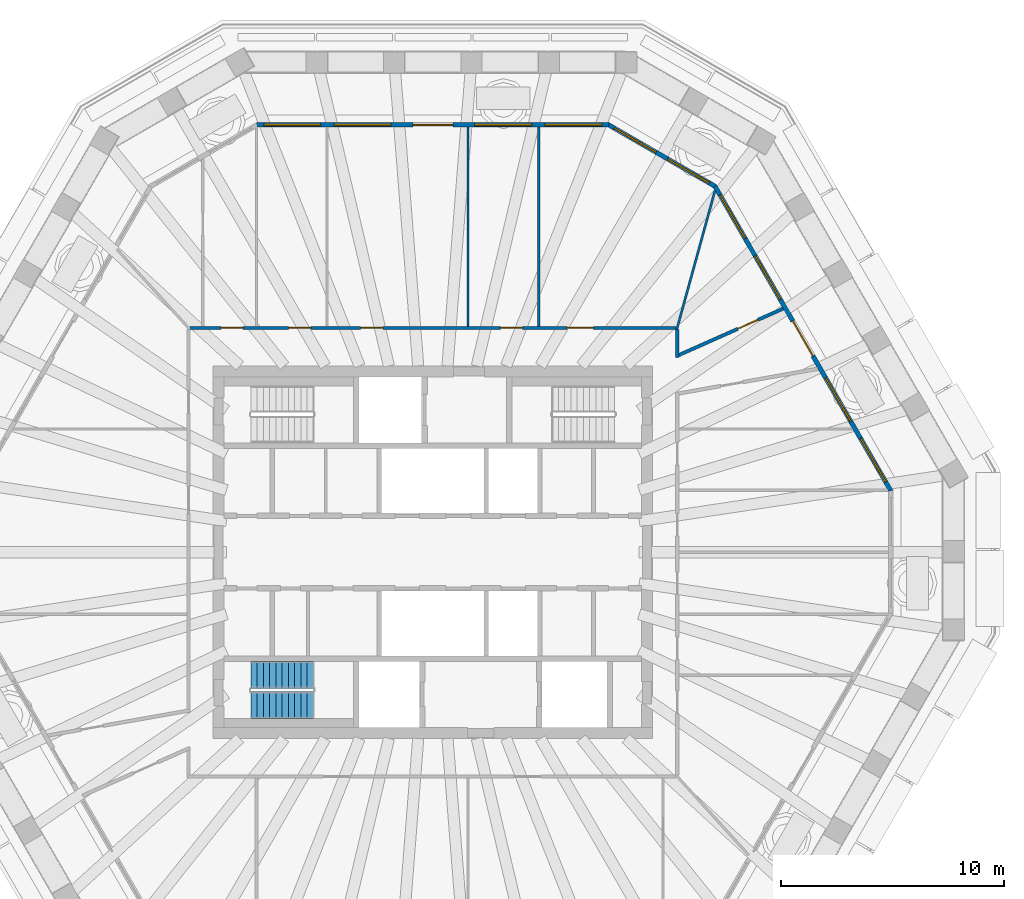
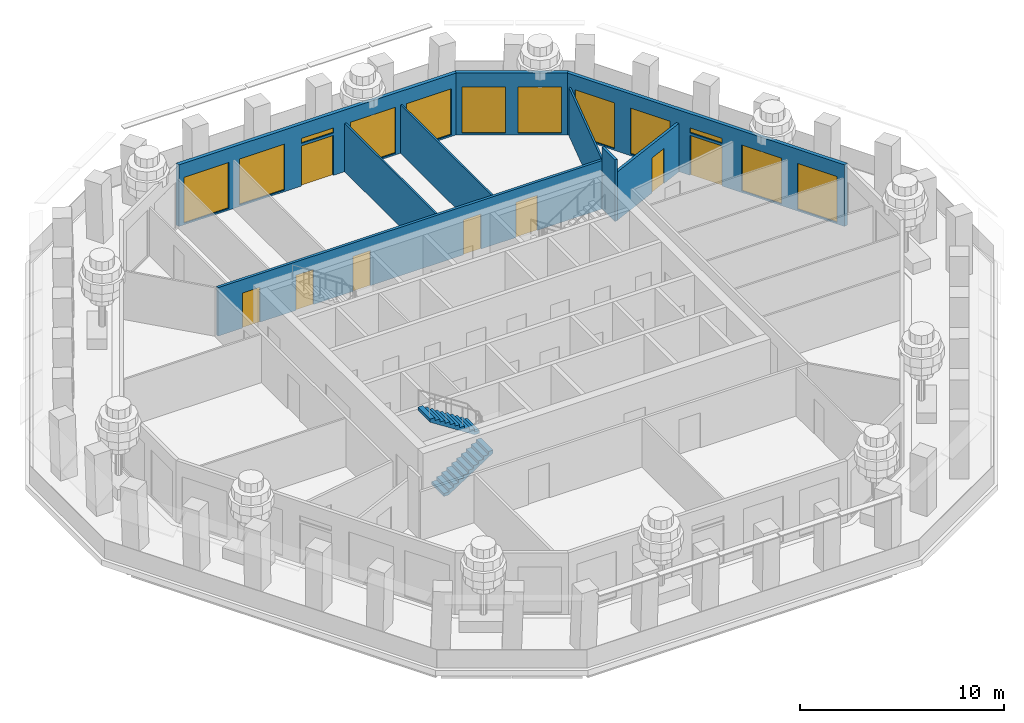
# One storey, part 7 of 13: 12 windows, 9 walls, 8 doors, 2 stair flights, 20 openings, 1 element without a shape of its own.
"""IFC4 building model written with IfcOpenShell, lengths in metres."""

from ifc_helpers import new_model, si_unit, direction, frame, frame_2d, origin, place, context, subcontext, project, spatial, polyline, rectangle, outline, extrude, material, layer, layer_set, type_object, element, fill, aggregate, save


model = new_model("IFC4")

# Units and contexts
model_context = context("Model", 3, precision=1e-05, world=origin(), true_north=direction((0.0, 1.0)))
body_context = subcontext(model_context, "Body", "Model", "MODEL_VIEW")
ifc_project = project(units=[si_unit("LENGTHUNIT", "METRE"), si_unit("AREAUNIT", "SQUARE_METRE"), si_unit("VOLUMEUNIT", "CUBIC_METRE"), si_unit("PLANEANGLEUNIT", "RADIAN"), si_unit("MASSUNIT", "GRAM", prefix="KILO")], contexts=[model_context])

# Site, building, storey
site_placement = place(None, origin())
site = spatial("IfcSite", under=ifc_project, at=site_placement, CompositionType="ELEMENT")
building_placement = place(site_placement, origin())
building = spatial("IfcBuilding", under=site, at=building_placement, Name="Frailejon Research Tower", CompositionType="ELEMENT")
storey_placement = place(building_placement, frame((0.0, 0.0, 263.0)))
storey = spatial("IfcBuildingStorey", under=building, at=storey_placement, Name="L57", CompositionType="ELEMENT", Elevation=263.0)

# Wall, opening, door
ifc_material_1 = material(Name="Gypsum board and masonry partition", Category="masonry")
ifc_layer_1 = layer(ifc_material_1, 0.14990234375)
ifc_layer_set_1 = layer_set([ifc_layer_1], Name="Corridor wall EI 60, gypsum on steel studs 150")
wall_type_1 = type_object("IfcWallType", Name="Corridor wall EI 60, gypsum on steel studs 150", PredefinedType="PARTITIONING", material=ifc_layer_set_1)
wall_1_placement = place(storey_placement, frame((11.0185546875, 8.83056640625, 0.0), z_axis=(0.0, 0.0, 1.0), x_axis=(0.913606957834, 0.406598483269, 0.0)))
wall_1 = element("IfcWall", 1, at=wall_1_placement, inside=storey, type_object=wall_type_1, Name="T:IW:L57:002", PredefinedType="PARTITIONING", context=body_context, shape_type="SweptSolid", body=[
    extrude(rectangle(XDim=5.12060546875, YDim=0.14990234375, at=frame_2d((2.560302734375, 0.0))), origin(), (0.0, 0.0, 1.0), 2.89990234375),
])
opening_1_placement = place(wall_1_placement, frame((2.896728515625, 0.0, 0.0)))
opening_1 = element("IfcOpeningElement", 2, at=opening_1_placement, cuts=wall_1, Name="Opening D2094", PredefinedType="OPENING", context=body_context, shape_type="SweptSolid", body=[
    extrude(rectangle(XDim=1.0, YDim=2.10009765625, at=frame_2d((0.5, 1.050048828125))), frame((0.0, 0.0849609375, 0.0), z_axis=(0.0, -1.0, 0.0), x_axis=(1.0, 0.0, 0.0)), (0.0, 0.0, 1.0), 0.169921875),
])
ifc_material_2 = material(Name="Timber door leaf", Category="wood")
door_type_1 = type_object("IfcDoorType", Name="Door single leaf, timber, steel frame 1000", OperationType="NOTDEFINED", PredefinedType="DOOR", material=ifc_material_2)
door_1_placement = place(opening_1_placement, origin())
door_1 = element("IfcDoor", 3, at=door_1_placement, inside=storey, type_object=door_type_1, Name="D2094", OperationType="SINGLE_SWING_LEFT", OverallHeight=2.10009765625, OverallWidth=1.0, PredefinedType="DOOR", context=body_context, shape_type="SweptSolid", body=[
    extrude(rectangle(XDim=1.0, YDim=2.10009765625, at=frame_2d((0.5, 1.050048828125))), frame((0.0, 0.02490234375, 0.0), z_axis=(0.0, -1.0, 0.0), x_axis=(1.0, 0.0, 0.0)), (0.0, 0.0, 1.0), 0.050048828125),
])
fill(opening_1, door_1)

# Wall
wall_2_placement = place(storey_placement, frame((10.949951171875, 8.72509765625, 0.0), z_axis=(0.0, 0.0, 1.0), x_axis=(0.0, 1.0, 0.0)))
element("IfcWall", 4, at=wall_2_placement, inside=storey, type_object=wall_type_1, Name="T:IW:L57:004", PredefinedType="PARTITIONING", context=body_context, shape_type="SweptSolid", body=[
    extrude(rectangle(XDim=1.25, YDim=0.14990234375, at=frame_2d((0.625, 0.0))), origin(), (0.0, 0.0, 1.0), 3.699951171875),
])

# Wall, openings, doors
wall_3_placement = place(storey_placement, frame((-10.875, 10.050048828125, 0.0), z_axis=(0.0, 0.0, 1.0), x_axis=(1.0, 0.0, 0.0)))
wall_3 = element("IfcWall", 5, at=wall_3_placement, inside=storey, type_object=wall_type_1, Name="T:IW:L57:005", PredefinedType="PARTITIONING", context=body_context, shape_type="SweptSolid", body=[
    extrude(rectangle(XDim=21.77490234375, YDim=0.14990234375, at=frame_2d((10.887451171875, 0.0))), origin(), (0.0, 0.0, 1.0), 2.89990234375),
])
opening_2_placement = place(wall_3_placement, frame((16.885498046875, 0.0, 0.0)))
opening_2 = element("IfcOpeningElement", 6, at=opening_2_placement, cuts=wall_3, Name="Opening D2095", PredefinedType="OPENING", context=body_context, shape_type="SweptSolid", body=[
    extrude(rectangle(XDim=1.199951171875, YDim=2.10009765625, at=frame_2d((0.60009765625, 1.050048828125))), frame((0.0, 0.0849609375, 0.0), z_axis=(0.0, -1.0, 0.0), x_axis=(1.0, 0.0, 0.0)), (0.0, 0.0, 1.0), 0.169921875),
])
opening_3_placement = place(wall_3_placement, frame((13.90283203125, 0.0, 0.0)))
opening_3 = element("IfcOpeningElement", 7, at=opening_3_placement, cuts=wall_3, Name="Opening D2096", PredefinedType="OPENING", context=body_context, shape_type="SweptSolid", body=[
    extrude(rectangle(XDim=1.0, YDim=2.10009765625, at=frame_2d((0.5, 1.050048828125))), frame((0.0, 0.0849609375, 0.0), z_axis=(0.0, -1.0, 0.0), x_axis=(1.0, 0.0, 0.0)), (0.0, 0.0, 1.0), 0.169921875),
])
opening_4_placement = place(wall_3_placement, frame((7.6376953125, 0.0, 0.0)))
opening_4 = element("IfcOpeningElement", 8, at=opening_4_placement, cuts=wall_3, Name="Opening D2097", PredefinedType="OPENING", context=body_context, shape_type="SweptSolid", body=[
    extrude(rectangle(XDim=1.0, YDim=2.10009765625, at=frame_2d((0.5, 1.050048828125))), frame((0.0, 0.0849609375, 0.0), z_axis=(0.0, -1.0, 0.0), x_axis=(1.0, 0.0, 0.0)), (0.0, 0.0, 1.0), 0.169921875),
])
opening_5_placement = place(wall_3_placement, frame((4.416015625, 0.0, 0.0)))
opening_5 = element("IfcOpeningElement", 9, at=opening_5_placement, cuts=wall_3, Name="Opening D2098", PredefinedType="OPENING", context=body_context, shape_type="SweptSolid", body=[
    extrude(rectangle(XDim=1.0, YDim=2.10009765625, at=frame_2d((0.5, 1.050048828125))), frame((0.0, 0.0849609375, 0.0), z_axis=(0.0, -1.0, 0.0), x_axis=(1.0, 0.0, 0.0)), (0.0, 0.0, 1.0), 0.169921875),
])
opening_6_placement = place(wall_3_placement, frame((1.372314453125, 0.0, 0.0)))
opening_6 = element("IfcOpeningElement", 10, at=opening_6_placement, cuts=wall_3, Name="Opening D2099", PredefinedType="OPENING", context=body_context, shape_type="SweptSolid", body=[
    extrude(rectangle(XDim=1.0, YDim=2.10009765625, at=frame_2d((0.5, 1.050048828125))), frame((0.0, 0.0849609375, 0.0), z_axis=(0.0, -1.0, 0.0), x_axis=(1.0, 0.0, 0.0)), (0.0, 0.0, 1.0), 0.169921875),
])
door_2_placement = place(opening_3_placement, origin())
door_2 = element("IfcDoor", 11, at=door_2_placement, inside=storey, type_object=door_type_1, Name="D2096", OperationType="SINGLE_SWING_LEFT", OverallHeight=2.10009765625, OverallWidth=1.0, PredefinedType="DOOR", context=body_context, shape_type="SweptSolid", body=[
    extrude(rectangle(XDim=1.0, YDim=2.10009765625, at=frame_2d((0.5, 1.050048828125))), frame((0.0, 0.02490234375, 0.0), z_axis=(0.0, -1.0, 0.0), x_axis=(1.0, 0.0, 0.0)), (0.0, 0.0, 1.0), 0.050048828125),
])
fill(opening_3, door_2)
door_3_placement = place(opening_4_placement, origin())
door_3 = element("IfcDoor", 12, at=door_3_placement, inside=storey, type_object=door_type_1, Name="D2097", OperationType="SINGLE_SWING_RIGHT", OverallHeight=2.10009765625, OverallWidth=1.0, PredefinedType="DOOR", context=body_context, shape_type="SweptSolid", body=[
    extrude(rectangle(XDim=1.0, YDim=2.10009765625, at=frame_2d((0.5, 1.050048828125))), frame((0.0, 0.02490234375, 0.0), z_axis=(0.0, -1.0, 0.0), x_axis=(1.0, 0.0, 0.0)), (0.0, 0.0, 1.0), 0.050048828125),
])
fill(opening_4, door_3)
door_4_placement = place(opening_5_placement, origin())
door_4 = element("IfcDoor", 13, at=door_4_placement, inside=storey, type_object=door_type_1, Name="D2098", OperationType="SINGLE_SWING_RIGHT", OverallHeight=2.10009765625, OverallWidth=1.0, PredefinedType="DOOR", context=body_context, shape_type="SweptSolid", body=[
    extrude(rectangle(XDim=1.0, YDim=2.10009765625, at=frame_2d((0.5, 1.050048828125))), frame((0.0, 0.02490234375, 0.0), z_axis=(0.0, -1.0, 0.0), x_axis=(1.0, 0.0, 0.0)), (0.0, 0.0, 1.0), 0.050048828125),
])
fill(opening_5, door_4)
door_5_placement = place(opening_6_placement, origin())
door_5 = element("IfcDoor", 14, at=door_5_placement, inside=storey, type_object=door_type_1, Name="D2099", OperationType="SINGLE_SWING_RIGHT", OverallHeight=2.10009765625, OverallWidth=1.0, PredefinedType="DOOR", context=body_context, shape_type="SweptSolid", body=[
    extrude(rectangle(XDim=1.0, YDim=2.10009765625, at=frame_2d((0.5, 1.050048828125))), frame((0.0, 0.02490234375, 0.0), z_axis=(0.0, -1.0, 0.0), x_axis=(1.0, 0.0, 0.0)), (0.0, 0.0, 1.0), 0.050048828125),
])
fill(opening_6, door_5)
ifc_material_3 = material(Name="Timber door leaf", Category="wood")
door_type_2 = type_object("IfcDoorType", Name="Door single leaf, timber, steel frame 1200", OperationType="NOTDEFINED", PredefinedType="DOOR", material=ifc_material_3)
door_6_placement = place(opening_2_placement, origin())
door_6 = element("IfcDoor", 15, at=door_6_placement, inside=storey, type_object=door_type_2, Name="D2095", OperationType="DOUBLE_DOOR_SINGLE_SWING", OverallHeight=2.10009765625, OverallWidth=1.199951171875, PredefinedType="DOOR", context=body_context, shape_type="SweptSolid", body=[
    extrude(rectangle(XDim=1.199951171875, YDim=2.10009765625, at=frame_2d((0.60009765625, 1.050048828125))), frame((0.0, 0.02490234375, 0.0), z_axis=(0.0, -1.0, 0.0), x_axis=(1.0, 0.0, 0.0)), (0.0, 0.0, 1.0), 0.050048828125),
])
fill(opening_2, door_6)

# Walls
ifc_material_4 = material(Name="Gypsum board and masonry partition", Category="masonry")
ifc_layer_2 = layer(ifc_material_4, 0.10009765625)
ifc_layer_set_2 = layer_set([ifc_layer_2], Name="Partition, gypsum on steel studs 100")
wall_type_2 = type_object("IfcWallType", Name="Partition, gypsum on steel studs 100", PredefinedType="PARTITIONING", material=ifc_layer_set_2)
wall_4_placement = place(storey_placement, frame((10.93017578125, 9.977783203125, 0.0), z_axis=(0.0, 0.0, 1.0), x_axis=(0.265456257417, 0.964122904716, 0.0)))
element("IfcWall", 16, at=wall_4_placement, inside=storey, type_object=wall_type_2, Name="T:IW:L57:016", PredefinedType="PARTITIONING", context=body_context, shape_type="SweptSolid", body=[
    extrude(rectangle(XDim=6.45458984375, YDim=0.10009765625, at=frame_2d((3.227294921875, 0.0))), origin(), (0.0, 0.0, 1.0), 2.89990234375),
])
for number, where, z_axis, x_axis, name in (
    (17, (4.743408203125, 10.125, 0.0), (0.0, 0.0, 1.0), (0.0, 1.0, 0.0), "T:IW:L57:017"),
    (18, (1.5810546875, 10.125, 0.0), (0.0, 0.0, 1.0), (0.0, 1.0, 0.0), "T:IW:L57:019"),
):
    element("IfcWall", number, at=place(storey_placement, frame(where, z_axis=z_axis, x_axis=x_axis)), inside=storey, type_object=wall_type_2, Name=name, PredefinedType="PARTITIONING", context=body_context, shape_type="SweptSolid", body=[
        extrude(rectangle(XDim=8.925048828125, YDim=0.10009765625, at=frame_2d((4.46240234375, 0.0))), origin(), (0.0, 0.0, 1.0), 2.89990234375),
    ])

# Wall, openings, door, windows
ifc_material_5 = material(Name="Concrete C40/50 precast window wall panel", Category="concrete")
ifc_layer_3 = layer(ifc_material_5, 0.199951171875)
ifc_layer_set_3 = layer_set([ifc_layer_3], Name="Window wall 200")
wall_type_3 = type_object("IfcWallType", Name="Window wall 200", PredefinedType="SOLIDWALL", material=ifc_layer_set_3)
wall_5_placement = place(storey_placement, frame((20.523681640625, 2.751708984375, 0.0), z_axis=(0.0, 0.0, 1.0), x_axis=(-0.499993368965, 0.86602923218, 0.0)))
wall_5 = element("IfcWall", 19, at=wall_5_placement, inside=storey, type_object=wall_type_3, Name="Exterior wall L57", PredefinedType="SOLIDWALL", context=body_context, shape_type="SweptSolid", body=[
    extrude(outline(polyline([(-0.02685546875, -0.10009765625), (1.02734375, -0.10009765625), (2.081298828125, -0.10009765625), (3.135498046875, -0.10009765625), (4.189453125, -0.10009765625), (5.24365234375, -0.10009765625), (6.297607421875, -0.10009765625), (7.351806640625, -0.10009765625), (8.40576171875, -0.10009765625), (9.4599609375, -0.10009765625), (10.513916015625, -0.10009765625), (11.568115234375, -0.10009765625), (12.6220703125, -0.10009765625), (13.67626953125, -0.10009765625), (14.730224609375, -0.10009765625), (15.784423828125, -0.10009765625), (15.730712890625, 0.10009765625), (14.683837890625, 0.10009765625), (13.636962890625, 0.10009765625), (12.58984375, 0.10009765625), (11.54296875, 0.10009765625), (10.49609375, 0.10009765625), (9.44921875, 0.10009765625), (8.40234375, 0.10009765625), (7.355224609375, 0.10009765625), (6.308349609375, 0.10009765625), (5.261474609375, 0.10009765625), (4.214599609375, 0.10009765625), (3.167724609375, 0.10009765625), (2.12060546875, 0.10009765625), (1.07373046875, 0.10009765625), (0.02685546875, 0.10009765625), (-0.02685546875, -0.10009765625)])), origin(), (0.0, 0.0, 1.0), 3.699951171875),
])
opening_7_placement = place(wall_5_placement, frame((0.45068359375, 0.0, 0.10009765625)))
opening_7 = element("IfcOpeningElement", 20, at=opening_7_placement, cuts=wall_5, Name="Opening W23", PredefinedType="OPENING", context=body_context, shape_type="SweptSolid", body=[
    extrude(rectangle(XDim=2.25, YDim=2.75, at=frame_2d((1.125, 1.375))), frame((0.0, 0.10986328125, 0.0), z_axis=(0.0, -1.0, 0.0), x_axis=(1.0, 0.0, 0.0)), (0.0, 0.0, 1.0), 0.219970703125),
])
opening_8_placement = place(wall_5_placement, frame((3.602294921875, 0.0, 0.10009765625)))
opening_8 = element("IfcOpeningElement", 21, at=opening_8_placement, cuts=wall_5, Name="Opening W23", PredefinedType="OPENING", context=body_context, shape_type="SweptSolid", body=[
    extrude(rectangle(XDim=2.25, YDim=2.75, at=frame_2d((1.125, 1.375))), frame((0.0, 0.10986328125, 0.0), z_axis=(0.0, -1.0, 0.0), x_axis=(1.0, 0.0, 0.0)), (0.0, 0.0, 1.0), 0.219970703125),
])
opening_9_placement = place(wall_5_placement, frame((6.97900390625, 0.0, 0.0)))
opening_9 = element("IfcOpeningElement", 22, at=opening_9_placement, cuts=wall_5, Name="Opening LG57-1", PredefinedType="OPENING", context=body_context, shape_type="SweptSolid", body=[
    extrude(rectangle(XDim=1.800048828125, YDim=2.39990234375, at=frame_2d((0.89990234375, 1.199951171875))), frame((0.0, 0.10986328125, 0.0), z_axis=(0.0, -1.0, 0.0), x_axis=(1.0, 0.0, 0.0)), (0.0, 0.0, 1.0), 0.219970703125),
])
opening_10_placement = place(wall_5_placement, frame((6.97900390625, 0.0, 2.550048828125)))
opening_10 = element("IfcOpeningElement", 23, at=opening_10_placement, cuts=wall_5, Name="Opening W24", PredefinedType="OPENING", context=body_context, shape_type="SweptSolid", body=[
    extrude(rectangle(XDim=1.800048828125, YDim=0.300048828125, at=frame_2d((0.89990234375, 0.14990234375))), frame((0.0, 0.10986328125, 0.0), z_axis=(0.0, -1.0, 0.0), x_axis=(1.0, 0.0, 0.0)), (0.0, 0.0, 1.0), 0.219970703125),
])
opening_11_placement = place(wall_5_placement, frame((9.905517578125, 0.0, 0.10009765625)))
opening_11 = element("IfcOpeningElement", 24, at=opening_11_placement, cuts=wall_5, Name="Opening W23", PredefinedType="OPENING", context=body_context, shape_type="SweptSolid", body=[
    extrude(rectangle(XDim=2.25, YDim=2.75, at=frame_2d((1.125, 1.375))), frame((0.0, 0.10986328125, 0.0), z_axis=(0.0, -1.0, 0.0), x_axis=(1.0, 0.0, 0.0)), (0.0, 0.0, 1.0), 0.219970703125),
])
opening_12_placement = place(wall_5_placement, frame((13.056884765625, 0.0, 0.10009765625)))
opening_12 = element("IfcOpeningElement", 25, at=opening_12_placement, cuts=wall_5, Name="Opening W23", PredefinedType="OPENING", context=body_context, shape_type="SweptSolid", body=[
    extrude(rectangle(XDim=2.25, YDim=2.75, at=frame_2d((1.125, 1.375))), frame((0.0, 0.10986328125, 0.0), z_axis=(0.0, -1.0, 0.0), x_axis=(1.0, 0.0, 0.0)), (0.0, 0.0, 1.0), 0.219970703125),
])
ifc_material_6 = material(Name="Aluminium framed glazed door leaf", Category="aluminium")
door_type_3 = type_object("IfcDoorType", Name="Loggia door 1800x2400", OperationType="DOUBLE_DOOR_SINGLE_SWING", PredefinedType="DOOR", material=ifc_material_6)
door_7_placement = place(opening_9_placement, origin())
door_7 = element("IfcDoor", 26, at=door_7_placement, inside=storey, type_object=door_type_3, Name="Door LG57-1", OperationType="DOUBLE_DOOR_SINGLE_SWING", OverallHeight=2.39990234375, OverallWidth=1.800048828125, PredefinedType="DOOR", context=body_context, shape_type="SweptSolid", body=[
    extrude(rectangle(XDim=1.800048828125, YDim=2.39990234375, at=frame_2d((0.89990234375, 1.199951171875))), frame((0.0, 0.02490234375, 0.0), z_axis=(0.0, -1.0, 0.0), x_axis=(1.0, 0.0, 0.0)), (0.0, 0.0, 1.0), 0.050048828125),
])
fill(opening_9, door_7)
ifc_material_7 = material(Name="Aluminium framed double glazing", Category="aluminium")
window_type_1 = type_object("IfcWindowType", Name="Window 1800x300", PartitioningType="SINGLE_PANEL", PredefinedType="WINDOW", material=ifc_material_7)
window_1_placement = place(opening_10_placement, origin())
window_1 = element("IfcWindow", 27, at=window_1_placement, inside=storey, type_object=window_type_1, Name="Window L57", OverallHeight=0.300048828125, OverallWidth=1.800048828125, PartitioningType="SINGLE_PANEL", PredefinedType="WINDOW", context=body_context, shape_type="SweptSolid", body=[
    extrude(rectangle(XDim=1.800048828125, YDim=0.300048828125, at=frame_2d((0.89990234375, 0.14990234375))), frame((0.0, 0.030029296875, 0.0), z_axis=(0.0, -1.0, 0.0), x_axis=(1.0, 0.0, 0.0)), (0.0, 0.0, 1.0), 0.06005859375),
])
fill(opening_10, window_1)
ifc_material_8 = material(Name="Aluminium framed double glazing", Category="aluminium")
window_type_2 = type_object("IfcWindowType", Name="Window 2250x2750", PartitioningType="SINGLE_PANEL", PredefinedType="WINDOW", material=ifc_material_8)
window_2_placement = place(opening_7_placement, origin())
window_2 = element("IfcWindow", 28, at=window_2_placement, inside=storey, type_object=window_type_2, Name="Window L57", OverallHeight=2.75, OverallWidth=2.25, PartitioningType="SINGLE_PANEL", PredefinedType="WINDOW", context=body_context, shape_type="SweptSolid", body=[
    extrude(rectangle(XDim=2.25, YDim=2.75, at=frame_2d((1.125, 1.375))), frame((0.0, 0.030029296875, 0.0), z_axis=(0.0, -1.0, 0.0), x_axis=(1.0, 0.0, 0.0)), (0.0, 0.0, 1.0), 0.06005859375),
])
fill(opening_7, window_2)
window_3_placement = place(opening_8_placement, origin())
window_3 = element("IfcWindow", 29, at=window_3_placement, inside=storey, type_object=window_type_2, Name="Window L57", OverallHeight=2.75, OverallWidth=2.25, PartitioningType="SINGLE_PANEL", PredefinedType="WINDOW", context=body_context, shape_type="SweptSolid", body=[
    extrude(rectangle(XDim=2.25, YDim=2.75, at=frame_2d((1.125, 1.375))), frame((0.0, 0.030029296875, 0.0), z_axis=(0.0, -1.0, 0.0), x_axis=(1.0, 0.0, 0.0)), (0.0, 0.0, 1.0), 0.06005859375),
])
fill(opening_8, window_3)
window_4_placement = place(opening_11_placement, origin())
window_4 = element("IfcWindow", 30, at=window_4_placement, inside=storey, type_object=window_type_2, Name="Window L57", OverallHeight=2.75, OverallWidth=2.25, PartitioningType="SINGLE_PANEL", PredefinedType="WINDOW", context=body_context, shape_type="SweptSolid", body=[
    extrude(rectangle(XDim=2.25, YDim=2.75, at=frame_2d((1.125, 1.375))), frame((0.0, 0.030029296875, 0.0), z_axis=(0.0, -1.0, 0.0), x_axis=(1.0, 0.0, 0.0)), (0.0, 0.0, 1.0), 0.06005859375),
])
fill(opening_11, window_4)
window_5_placement = place(opening_12_placement, origin())
window_5 = element("IfcWindow", 31, at=window_5_placement, inside=storey, type_object=window_type_2, Name="Window L57", OverallHeight=2.75, OverallWidth=2.25, PartitioningType="SINGLE_PANEL", PredefinedType="WINDOW", context=body_context, shape_type="SweptSolid", body=[
    extrude(rectangle(XDim=2.25, YDim=2.75, at=frame_2d((1.125, 1.375))), frame((0.0, 0.030029296875, 0.0), z_axis=(0.0, -1.0, 0.0), x_axis=(1.0, 0.0, 0.0)), (0.0, 0.0, 1.0), 0.06005859375),
])
fill(opening_12, window_5)

# Wall, openings, windows
wall_6_placement = place(storey_placement, frame((12.64501953125, 16.398193359375, 0.0), z_axis=(0.0, 0.0, 1.0), x_axis=(-0.866026017613, 0.499998936816, 0.0)))
wall_6 = element("IfcWall", 32, at=wall_6_placement, inside=storey, type_object=wall_type_3, Name="Exterior wall L57", PredefinedType="SOLIDWALL", context=body_context, shape_type="SweptSolid", body=[
    extrude(outline(polyline([(-0.02685546875, -0.10009765625), (1.08447265625, -0.10009765625), (2.196044921875, -0.10009765625), (3.307373046875, -0.10009765625), (4.4189453125, -0.10009765625), (5.5302734375, -0.10009765625), (5.4765625, 0.10009765625), (4.38671875, 0.10009765625), (3.296630859375, 0.10009765625), (2.206787109375, 0.10009765625), (1.11669921875, 0.10009765625), (0.02685546875, 0.10009765625), (-0.02685546875, -0.10009765625)])), origin(), (0.0, 0.0, 1.0), 3.699951171875),
])
opening_13_placement = place(wall_6_placement, frame((0.30078125, 0.0, 0.10009765625)))
opening_13 = element("IfcOpeningElement", 33, at=opening_13_placement, cuts=wall_6, Name="Opening W22", PredefinedType="OPENING", context=body_context, shape_type="SweptSolid", body=[
    extrude(rectangle(XDim=2.14990234375, YDim=2.75, at=frame_2d((1.074951171875, 1.375))), frame((0.0, 0.10986328125, 0.0), z_axis=(0.0, -1.0, 0.0), x_axis=(1.0, 0.0, 0.0)), (0.0, 0.0, 1.0), 0.219970703125),
])
opening_14_placement = place(wall_6_placement, frame((3.052490234375, 0.0, 0.10009765625)))
opening_14 = element("IfcOpeningElement", 34, at=opening_14_placement, cuts=wall_6, Name="Opening W22", PredefinedType="OPENING", context=body_context, shape_type="SweptSolid", body=[
    extrude(rectangle(XDim=2.14990234375, YDim=2.75, at=frame_2d((1.074951171875, 1.375))), frame((0.0, 0.10986328125, 0.0), z_axis=(0.0, -1.0, 0.0), x_axis=(1.0, 0.0, 0.0)), (0.0, 0.0, 1.0), 0.219970703125),
])
ifc_material_9 = material(Name="Aluminium framed double glazing", Category="aluminium")
window_type_3 = type_object("IfcWindowType", Name="Window 2150x2750", PartitioningType="SINGLE_PANEL", PredefinedType="WINDOW", material=ifc_material_9)
window_6_placement = place(opening_13_placement, origin())
window_6 = element("IfcWindow", 35, at=window_6_placement, inside=storey, type_object=window_type_3, Name="Window L57", OverallHeight=2.75, OverallWidth=2.14990234375, PartitioningType="SINGLE_PANEL", PredefinedType="WINDOW", context=body_context, shape_type="SweptSolid", body=[
    extrude(rectangle(XDim=2.14990234375, YDim=2.75, at=frame_2d((1.074951171875, 1.375))), frame((0.0, 0.030029296875, 0.0), z_axis=(0.0, -1.0, 0.0), x_axis=(1.0, 0.0, 0.0)), (0.0, 0.0, 1.0), 0.06005859375),
])
fill(opening_13, window_6)
window_7_placement = place(opening_14_placement, origin())
window_7 = element("IfcWindow", 36, at=window_7_placement, inside=storey, type_object=window_type_3, Name="Window L57", OverallHeight=2.75, OverallWidth=2.14990234375, PartitioningType="SINGLE_PANEL", PredefinedType="WINDOW", context=body_context, shape_type="SweptSolid", body=[
    extrude(rectangle(XDim=2.14990234375, YDim=2.75, at=frame_2d((1.074951171875, 1.375))), frame((0.0, 0.030029296875, 0.0), z_axis=(0.0, -1.0, 0.0), x_axis=(1.0, 0.0, 0.0)), (0.0, 0.0, 1.0), 0.06005859375),
])
fill(opening_14, window_7)

# Wall, openings, door, windows
wall_7_placement = place(storey_placement, frame((7.87890625, 19.14990234375, 0.0), z_axis=(0.0, 0.0, 1.0), x_axis=(-1.0, 0.0, 0.0)))
wall_7 = element("IfcWall", 37, at=wall_7_placement, inside=storey, type_object=wall_type_3, Name="Exterior wall L57", PredefinedType="SOLIDWALL", context=body_context, shape_type="SweptSolid", body=[
    extrude(outline(polyline([(-0.02685546875, -0.10009765625), (1.02734375, -0.10009765625), (2.081298828125, -0.10009765625), (3.135498046875, -0.10009765625), (4.189453125, -0.10009765625), (5.24365234375, -0.10009765625), (6.2978515625, -0.10009765625), (7.351806640625, -0.10009765625), (8.406005859375, -0.10009765625), (9.4599609375, -0.10009765625), (10.51416015625, -0.10009765625), (11.568359375, -0.10009765625), (12.622314453125, -0.10009765625), (13.676513671875, -0.10009765625), (14.73046875, -0.10009765625), (15.78466796875, -0.10009765625), (15.73095703125, 0.10009765625), (14.68408203125, 0.10009765625), (13.636962890625, 0.10009765625), (12.590087890625, 0.10009765625), (11.543212890625, 0.10009765625), (10.496337890625, 0.10009765625), (9.44921875, 0.10009765625), (8.40234375, 0.10009765625), (7.35546875, 0.10009765625), (6.30859375, 0.10009765625), (5.261474609375, 0.10009765625), (4.214599609375, 0.10009765625), (3.167724609375, 0.10009765625), (2.120849609375, 0.10009765625), (1.07373046875, 0.10009765625), (0.02685546875, 0.10009765625), (-0.02685546875, -0.10009765625)])), origin(), (0.0, 0.0, 1.0), 3.699951171875),
])
opening_15_placement = place(wall_7_placement, frame((0.30078125, 0.0, 0.10009765625)))
opening_15 = element("IfcOpeningElement", 38, at=opening_15_placement, cuts=wall_7, Name="Opening W25", PredefinedType="OPENING", context=body_context, shape_type="SweptSolid", body=[
    extrude(rectangle(XDim=2.550048828125, YDim=2.75, at=frame_2d((1.27490234375, 1.375))), frame((0.0, 0.10986328125, 0.0), z_axis=(0.0, -1.0, 0.0), x_axis=(1.0, 0.0, 0.0)), (0.0, 0.0, 1.0), 0.219970703125),
])
opening_16_placement = place(wall_7_placement, frame((3.452392578125, 0.0, 0.10009765625)))
opening_16 = element("IfcOpeningElement", 39, at=opening_16_placement, cuts=wall_7, Name="Opening W25", PredefinedType="OPENING", context=body_context, shape_type="SweptSolid", body=[
    extrude(rectangle(XDim=2.550048828125, YDim=2.75, at=frame_2d((1.27490234375, 1.375))), frame((0.0, 0.10986328125, 0.0), z_axis=(0.0, -1.0, 0.0), x_axis=(1.0, 0.0, 0.0)), (0.0, 0.0, 1.0), 0.219970703125),
])
opening_17_placement = place(wall_7_placement, frame((6.97900390625, 0.0, 0.0)))
opening_17 = element("IfcOpeningElement", 40, at=opening_17_placement, cuts=wall_7, Name="Opening LG57-2", PredefinedType="OPENING", context=body_context, shape_type="SweptSolid", body=[
    extrude(rectangle(XDim=1.800048828125, YDim=2.39990234375, at=frame_2d((0.89990234375, 1.199951171875))), frame((0.0, 0.10986328125, 0.0), z_axis=(0.0, -1.0, 0.0), x_axis=(1.0, 0.0, 0.0)), (0.0, 0.0, 1.0), 0.219970703125),
])
opening_18_placement = place(wall_7_placement, frame((6.97900390625, 0.0, 2.550048828125)))
opening_18 = element("IfcOpeningElement", 41, at=opening_18_placement, cuts=wall_7, Name="Opening W24", PredefinedType="OPENING", context=body_context, shape_type="SweptSolid", body=[
    extrude(rectangle(XDim=1.800048828125, YDim=0.300048828125, at=frame_2d((0.89990234375, 0.14990234375))), frame((0.0, 0.10986328125, 0.0), z_axis=(0.0, -1.0, 0.0), x_axis=(1.0, 0.0, 0.0)), (0.0, 0.0, 1.0), 0.219970703125),
])
opening_19_placement = place(wall_7_placement, frame((9.75537109375, 0.0, 0.10009765625)))
opening_19 = element("IfcOpeningElement", 42, at=opening_19_placement, cuts=wall_7, Name="Opening W25", PredefinedType="OPENING", context=body_context, shape_type="SweptSolid", body=[
    extrude(rectangle(XDim=2.550048828125, YDim=2.75, at=frame_2d((1.27490234375, 1.375))), frame((0.0, 0.10986328125, 0.0), z_axis=(0.0, -1.0, 0.0), x_axis=(1.0, 0.0, 0.0)), (0.0, 0.0, 1.0), 0.219970703125),
])
opening_20_placement = place(wall_7_placement, frame((12.906982421875, 0.0, 0.10009765625)))
opening_20 = element("IfcOpeningElement", 43, at=opening_20_placement, cuts=wall_7, Name="Opening W25", PredefinedType="OPENING", context=body_context, shape_type="SweptSolid", body=[
    extrude(rectangle(XDim=2.550048828125, YDim=2.75, at=frame_2d((1.27490234375, 1.375))), frame((0.0, 0.10986328125, 0.0), z_axis=(0.0, -1.0, 0.0), x_axis=(1.0, 0.0, 0.0)), (0.0, 0.0, 1.0), 0.219970703125),
])
door_8_placement = place(opening_17_placement, origin())
door_8 = element("IfcDoor", 44, at=door_8_placement, inside=storey, type_object=door_type_3, Name="Door LG57-2", OperationType="DOUBLE_DOOR_SINGLE_SWING", OverallHeight=2.39990234375, OverallWidth=1.800048828125, PredefinedType="DOOR", context=body_context, shape_type="SweptSolid", body=[
    extrude(rectangle(XDim=1.800048828125, YDim=2.39990234375, at=frame_2d((0.89990234375, 1.199951171875))), frame((0.0, 0.02490234375, 0.0), z_axis=(0.0, -1.0, 0.0), x_axis=(1.0, 0.0, 0.0)), (0.0, 0.0, 1.0), 0.050048828125),
])
fill(opening_17, door_8)
window_8_placement = place(opening_18_placement, origin())
window_8 = element("IfcWindow", 45, at=window_8_placement, inside=storey, type_object=window_type_1, Name="Window L57", OverallHeight=0.300048828125, OverallWidth=1.800048828125, PartitioningType="SINGLE_PANEL", PredefinedType="WINDOW", context=body_context, shape_type="SweptSolid", body=[
    extrude(rectangle(XDim=1.800048828125, YDim=0.300048828125, at=frame_2d((0.89990234375, 0.14990234375))), frame((0.0, 0.030029296875, 0.0), z_axis=(0.0, -1.0, 0.0), x_axis=(1.0, 0.0, 0.0)), (0.0, 0.0, 1.0), 0.06005859375),
])
fill(opening_18, window_8)
ifc_material_10 = material(Name="Aluminium framed double glazing", Category="aluminium")
window_type_4 = type_object("IfcWindowType", Name="Window 2550x2750", PartitioningType="SINGLE_PANEL", PredefinedType="WINDOW", material=ifc_material_10)
window_9_placement = place(opening_15_placement, origin())
window_9 = element("IfcWindow", 46, at=window_9_placement, inside=storey, type_object=window_type_4, Name="Window L57", OverallHeight=2.75, OverallWidth=2.550048828125, PartitioningType="SINGLE_PANEL", PredefinedType="WINDOW", context=body_context, shape_type="SweptSolid", body=[
    extrude(rectangle(XDim=2.550048828125, YDim=2.75, at=frame_2d((1.27490234375, 1.375))), frame((0.0, 0.030029296875, 0.0), z_axis=(0.0, -1.0, 0.0), x_axis=(1.0, 0.0, 0.0)), (0.0, 0.0, 1.0), 0.06005859375),
])
fill(opening_15, window_9)
window_10_placement = place(opening_16_placement, origin())
window_10 = element("IfcWindow", 47, at=window_10_placement, inside=storey, type_object=window_type_4, Name="Window L57", OverallHeight=2.75, OverallWidth=2.550048828125, PartitioningType="SINGLE_PANEL", PredefinedType="WINDOW", context=body_context, shape_type="SweptSolid", body=[
    extrude(rectangle(XDim=2.550048828125, YDim=2.75, at=frame_2d((1.27490234375, 1.375))), frame((0.0, 0.030029296875, 0.0), z_axis=(0.0, -1.0, 0.0), x_axis=(1.0, 0.0, 0.0)), (0.0, 0.0, 1.0), 0.06005859375),
])
fill(opening_16, window_10)
window_11_placement = place(opening_19_placement, origin())
window_11 = element("IfcWindow", 48, at=window_11_placement, inside=storey, type_object=window_type_4, Name="Window L57", OverallHeight=2.75, OverallWidth=2.550048828125, PartitioningType="SINGLE_PANEL", PredefinedType="WINDOW", context=body_context, shape_type="SweptSolid", body=[
    extrude(rectangle(XDim=2.550048828125, YDim=2.75, at=frame_2d((1.27490234375, 1.375))), frame((0.0, 0.030029296875, 0.0), z_axis=(0.0, -1.0, 0.0), x_axis=(1.0, 0.0, 0.0)), (0.0, 0.0, 1.0), 0.06005859375),
])
fill(opening_19, window_11)
window_12_placement = place(opening_20_placement, origin())
window_12 = element("IfcWindow", 49, at=window_12_placement, inside=storey, type_object=window_type_4, Name="Window L57", OverallHeight=2.75, OverallWidth=2.550048828125, PartitioningType="SINGLE_PANEL", PredefinedType="WINDOW", context=body_context, shape_type="SweptSolid", body=[
    extrude(rectangle(XDim=2.550048828125, YDim=2.75, at=frame_2d((1.27490234375, 1.375))), frame((0.0, 0.030029296875, 0.0), z_axis=(0.0, -1.0, 0.0), x_axis=(1.0, 0.0, 0.0)), (0.0, 0.0, 1.0), 0.06005859375),
])
fill(opening_20, window_12)

# Stair, stair flights
ifc_material_11 = material(Name="Concrete C50/60", Category="concrete")
stair_type = type_object("IfcStairType", Name="Exit stair 22 risers", PredefinedType="HALF_TURN_STAIR", material=ifc_material_11)
stair_placement = place(storey_placement, origin())
stair = element("IfcStair", 50, at=stair_placement, inside=storey, type_object=stair_type, Name="L57 Exit stair ST2", PredefinedType="HALF_TURN_STAIR")
ifc_material_12 = material(Name="Concrete C50/60", Category="concrete")
ifc_layer_4 = layer(ifc_material_12, 0.14990234375)
ifc_layer_set_4 = layer_set([ifc_layer_4], Name="Stair flight 11 risers")
stair_flight_type = type_object("IfcStairFlightType", Name="Stair flight 11 risers", PredefinedType="STRAIGHT", material=ifc_layer_set_4)
stair_flight_1_placement = place(storey_placement, frame((-8.14990234375, -6.85009765625, 0.0), z_axis=(0.0, 0.0, 1.0), x_axis=(1.0, 0.0, 0.0)))
stair_flight_1 = element("IfcStairFlight", 51, at=stair_flight_1_placement, type_object=stair_flight_type, Name="ST2 flight 1", NumberOfRisers=11, NumberOfTreads=10, PredefinedType="STRAIGHT", RiserHeight=0.181818182, TreadLength=0.28, context=body_context, shape_type="SweptSolid", body=[
    extrude(outline(polyline([(0.0, 0.0), (0.0, 0.181884765625), (0.280029296875, 0.181884765625), (0.280029296875, 0.363525390625), (0.56005859375, 0.363525390625), (0.56005859375, 0.54541015625), (0.840087890625, 0.54541015625), (0.840087890625, 0.727294921875), (1.1201171875, 0.727294921875), (1.1201171875, 0.9091796875), (1.39990234375, 0.9091796875), (1.39990234375, 1.0908203125), (1.679931640625, 1.0908203125), (1.679931640625, 1.272705078125), (1.9599609375, 1.272705078125), (1.9599609375, 1.45458984375), (2.239990234375, 1.45458984375), (2.239990234375, 1.636474609375), (2.52001953125, 1.636474609375), (2.52001953125, 1.818115234375), (2.800048828125, 1.818115234375), (2.800048828125, 2.0), (2.800048828125, 1.639404296875), (0.275146484375, 0.0), (0.0, 0.0)])), frame((0.0, 0.60009765625, 0.0), z_axis=(0.0, -1.0, 0.0), x_axis=(1.0, 0.0, 0.0)), (0.0, 0.0, 1.0), 1.199951171875),
])
stair_flight_2_placement = place(storey_placement, frame((-5.35009765625, -5.5, 2.0), z_axis=(0.0, 0.0, 1.0), x_axis=(-1.0, 0.0, 0.0)))
stair_flight_2 = element("IfcStairFlight", 52, at=stair_flight_2_placement, type_object=stair_flight_type, Name="ST2 flight 2", NumberOfRisers=11, NumberOfTreads=10, PredefinedType="STRAIGHT", RiserHeight=0.181818182, TreadLength=0.28, context=body_context, shape_type="SweptSolid", body=[
    extrude(outline(polyline([(0.0, 0.0), (0.0, 0.181884765625), (0.280029296875, 0.181884765625), (0.280029296875, 0.363525390625), (0.56005859375, 0.363525390625), (0.56005859375, 0.54541015625), (0.840087890625, 0.54541015625), (0.840087890625, 0.727294921875), (1.1201171875, 0.727294921875), (1.1201171875, 0.9091796875), (1.39990234375, 0.9091796875), (1.39990234375, 1.0908203125), (1.679931640625, 1.0908203125), (1.679931640625, 1.272705078125), (1.9599609375, 1.272705078125), (1.9599609375, 1.45458984375), (2.239990234375, 1.45458984375), (2.239990234375, 1.636474609375), (2.52001953125, 1.636474609375), (2.52001953125, 1.818115234375), (2.800048828125, 1.818115234375), (2.800048828125, 2.0), (2.800048828125, 1.639404296875), (0.275146484375, 0.0), (0.0, 0.0)])), frame((0.0, 0.60009765625, 0.0), z_axis=(0.0, -1.0, 0.0), x_axis=(1.0, 0.0, 0.0)), (0.0, 0.0, 1.0), 1.199951171875),
])
aggregate(stair, [stair_flight_1, stair_flight_2])

save(model, "model.ifc")
